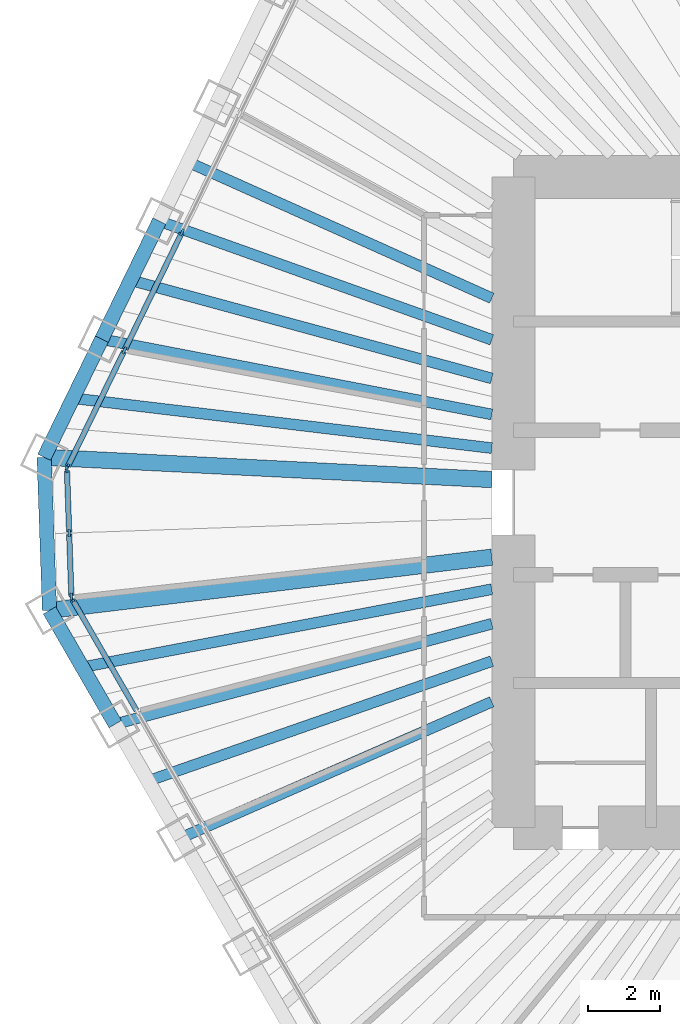
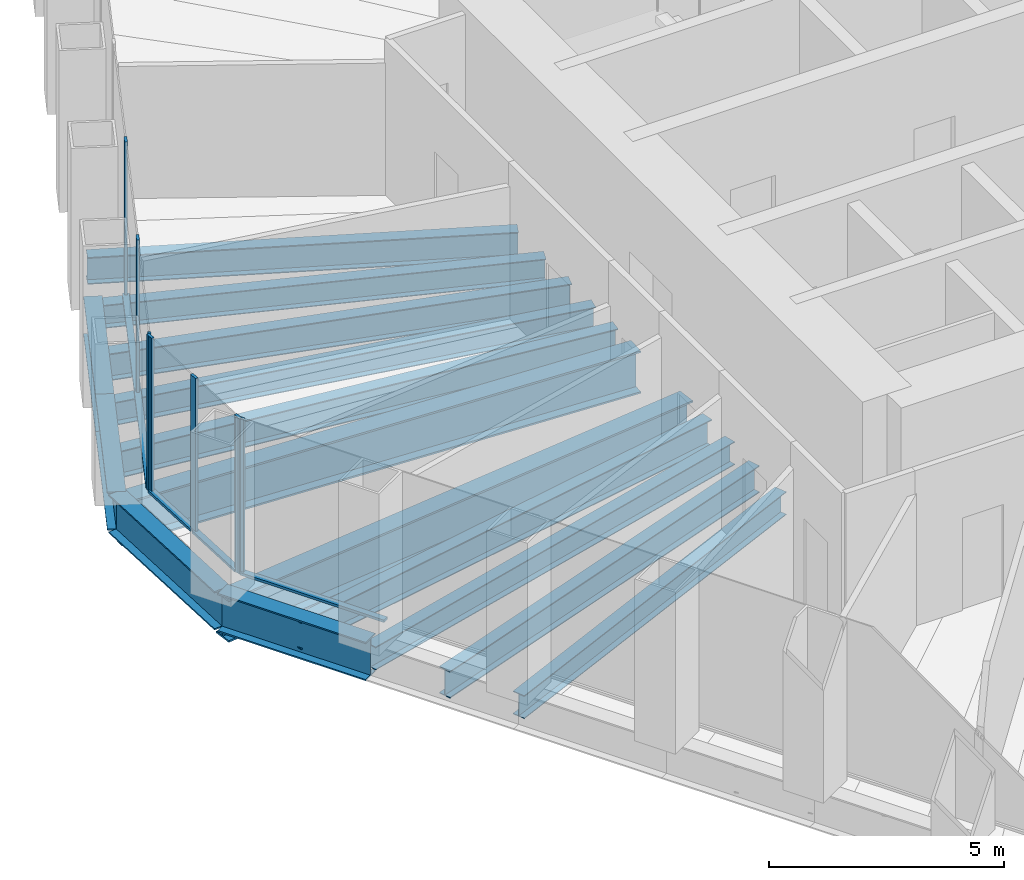
# One storey, part 3 of 14: 15 beams, 12 members, 3 elements without a shape of their own.
"""IFC4 building model written with IfcOpenShell, lengths in metres."""

from ifc_helpers import new_model, si_unit, direction, frame, origin, origin_2d, place, context, subcontext, project, spatial, rectangle, i_section, extrude, material, material_profile, profile_set, type_object, element, aggregate, save


model = new_model("IFC4")

# Units and contexts
model_context = context("Model", 3, precision=1e-05, world=origin(), true_north=direction((0.0, 1.0)))
body_context = subcontext(model_context, "Body", "Model", "MODEL_VIEW")
ifc_project = project(units=[si_unit("LENGTHUNIT", "METRE"), si_unit("AREAUNIT", "SQUARE_METRE"), si_unit("VOLUMEUNIT", "CUBIC_METRE"), si_unit("PLANEANGLEUNIT", "RADIAN"), si_unit("MASSUNIT", "GRAM", prefix="KILO")], contexts=[model_context])

# Site, building, storey
site_placement = place(None, origin())
site = spatial("IfcSite", under=ifc_project, at=site_placement, CompositionType="ELEMENT")
building_placement = place(site_placement, origin())
building = spatial("IfcBuilding", under=site, at=building_placement, Name="Qingtian Harvest Tower", CompositionType="ELEMENT")
storey_placement = place(building_placement, frame((0.0, 0.0, 235.0)))
storey = spatial("IfcBuildingStorey", under=building, at=storey_placement, Name="L51", CompositionType="ELEMENT", Elevation=235.0)

# Beams
ifc_material_1 = material(Name="Steel SM570MC", Category="steel")
ifc_material_profile_1 = material_profile(ifc_material_1, i_section(OverallWidth=0.449951171875, OverallDepth=1.10009765625, WebThickness=0.02197265625, FlangeThickness=0.044921875, at=origin_2d()), Name="H1100x450x22x45")
ifc_profile_set_1 = profile_set([ifc_material_profile_1], Name="Steel SM570MC")
beam_type_1 = type_object("IfcBeamType", Name="Corner floor beam FB8 H1100x450x22x45", PredefinedType="BEAM", material=ifc_profile_set_1)
beam_1_placement = place(storey_placement, frame((-24.833251953125, -2.987548828125, -0.719970703125), z_axis=(0.992841259631, 0.119441337798, 0.0), x_axis=(-0.119441337798, 0.992841259631, 0.0)))
element("IfcBeam", 1, at=beam_1_placement, inside=storey, type_object=beam_type_1, Name="Floor beam FB8 SW6", PredefinedType="BEAM", context=body_context, shape_type="SweptSolid", body=[
    extrude(i_section(OverallWidth=0.449951171875, OverallDepth=1.10009765625, WebThickness=0.02197265625, FlangeThickness=0.044921875, at=origin_2d()), origin(), (0.0, 0.0, 1.0), 12.3212890625),
])
beam_2_placement = place(storey_placement, frame((-24.981201171875, 1.248046875, -0.719970703125), z_axis=(0.998753959075, -0.049905202459, 0.0), x_axis=(0.049905202459, 0.998753959075, 0.0)))
element("IfcBeam", 2, at=beam_2_placement, inside=storey, type_object=beam_type_1, Name="Floor beam FB8 NW0", PredefinedType="BEAM", context=body_context, shape_type="SweptSolid", body=[
    extrude(i_section(OverallWidth=0.449951171875, OverallDepth=1.10009765625, WebThickness=0.02197265625, FlangeThickness=0.044921875, at=origin_2d()), origin(), (0.0, 0.0, 1.0), 12.396484375),
])
ifc_material_2 = material(Name="Steel SN490B", Category="steel")
ifc_material_profile_2 = material_profile(ifc_material_2, i_section(OverallWidth=0.300048828125, OverallDepth=0.60009765625, WebThickness=0.011962890625, FlangeThickness=0.02001953125, at=origin_2d()), Name="H600x300x12x20")
ifc_profile_set_2 = profile_set([ifc_material_profile_2], Name="Steel SN490B")
beam_type_2 = type_object("IfcBeamType", Name="Floor beam FB3 H600x300x12x20", PredefinedType="BEAM", material=ifc_profile_set_2)
beam_3_placement = place(storey_placement, frame((-21.19970703125, -9.281005859375, -0.469970703125), z_axis=(0.916057031544, 0.401048020765, 0.0), x_axis=(-0.401048020765, 0.916057031544, 0.0)))
element("IfcBeam", 3, at=beam_3_placement, inside=storey, type_object=beam_type_2, Name="Floor beam FB3 SW4", PredefinedType="BEAM", context=body_context, shape_type="SweptSolid", body=[
    extrude(i_section(OverallWidth=0.300048828125, OverallDepth=0.60009765625, WebThickness=0.011962890625, FlangeThickness=0.02001953125, at=origin_2d()), origin(), (0.0, 0.0, 1.0), 9.3876953125),
])
beam_4_placement = place(storey_placement, frame((-23.016357421875, -6.13427734375, -0.469970703125), z_axis=(0.966270640629, 0.257528734433, 0.0), x_axis=(-0.257528734433, 0.966270640629, 0.0)))
element("IfcBeam", 4, at=beam_4_placement, inside=storey, type_object=beam_type_2, Name="Floor beam FB3 SW5", PredefinedType="BEAM", context=body_context, shape_type="SweptSolid", body=[
    extrude(i_section(OverallWidth=0.300048828125, OverallDepth=0.60009765625, WebThickness=0.011962890625, FlangeThickness=0.02001953125, at=origin_2d()), origin(), (0.0, 0.0, 1.0), 10.77978515625),
])
beam_5_placement = place(storey_placement, frame((-23.388427734375, 4.513916015625, -0.469970703125), z_axis=(0.981878004162, -0.189514075845, 0.0), x_axis=(0.189514075845, 0.981878004162, 0.0)))
element("IfcBeam", 5, at=beam_5_placement, inside=storey, type_object=beam_type_2, Name="Floor beam FB3 NW1", PredefinedType="BEAM", context=body_context, shape_type="SweptSolid", body=[
    extrude(i_section(OverallWidth=0.300048828125, OverallDepth=0.60009765625, WebThickness=0.011962890625, FlangeThickness=0.02001953125, at=origin_2d()), origin(), (0.0, 0.0, 1.0), 10.987548828125),
])
beam_6_placement = place(storey_placement, frame((-21.79541015625, 7.779541015625, -0.469970703125), z_axis=(0.941800733255, -0.336171650857, 0.0), x_axis=(0.336171650857, 0.941800733255, 0.0)))
element("IfcBeam", 6, at=beam_6_placement, inside=storey, type_object=beam_type_2, Name="Floor beam FB3 NW2", PredefinedType="BEAM", context=body_context, shape_type="SweptSolid", body=[
    extrude(i_section(OverallWidth=0.300048828125, OverallDepth=0.60009765625, WebThickness=0.011962890625, FlangeThickness=0.02001953125, at=origin_2d()), origin(), (0.0, 0.0, 1.0), 9.763427734375),
])
ifc_material_3 = material(Name="Steel SN490B", Category="steel")
ifc_material_profile_3 = material_profile(ifc_material_3, i_section(OverallWidth=0.300048828125, OverallDepth=0.699951171875, WebThickness=0.012939453125, FlangeThickness=0.02392578125, at=origin_2d()), Name="H700x300x13x24")
ifc_profile_set_3 = profile_set([ifc_material_profile_3], Name="Steel SN490B")
beam_type_3 = type_object("IfcBeamType", Name="Floor joist J2 H700x300x13x24", PredefinedType="JOIST", material=ifc_profile_set_3)
beam_7_placement = place(storey_placement, frame((-22.108154296875, -7.707763671875, -0.52001953125), z_axis=(0.944256456951, 0.329210788868, 0.0), x_axis=(-0.329210788868, 0.944256456951, 0.0)))
element("IfcBeam", 7, at=beam_7_placement, inside=storey, type_object=beam_type_3, Name="Floor joist J2 SW4", PredefinedType="JOIST", context=body_context, shape_type="SweptSolid", body=[
    extrude(i_section(OverallWidth=0.300048828125, OverallDepth=0.699951171875, WebThickness=0.012939453125, FlangeThickness=0.02392578125, at=origin_2d()), origin(), (0.0, 0.0, 1.0), 10.0693359375),
])
beam_8_placement = place(storey_placement, frame((-23.9248046875, -4.56103515625, -0.52001953125), z_axis=(0.982309082743, 0.187266830912, 0.0), x_axis=(-0.187266830912, 0.982309082743, 0.0)))
element("IfcBeam", 8, at=beam_8_placement, inside=storey, type_object=beam_type_3, Name="Floor joist J2 SW5", PredefinedType="JOIST", context=body_context, shape_type="SweptSolid", body=[
    extrude(i_section(OverallWidth=0.300048828125, OverallDepth=0.699951171875, WebThickness=0.012939453125, FlangeThickness=0.02392578125, at=origin_2d()), origin(), (0.0, 0.0, 1.0), 11.528564453125),
])
beam_9_placement = place(storey_placement, frame((-24.184814453125, 2.880859375, -0.52001953125), z_axis=(0.992980727423, -0.11827626544, 0.0), x_axis=(0.11827626544, 0.992980727423, 0.0)))
element("IfcBeam", 9, at=beam_9_placement, inside=storey, type_object=beam_type_3, Name="Floor joist J2 NW0", PredefinedType="JOIST", context=body_context, shape_type="SweptSolid", body=[
    extrude(i_section(OverallWidth=0.300048828125, OverallDepth=0.699951171875, WebThickness=0.012939453125, FlangeThickness=0.02392578125, at=origin_2d()), origin(), (0.0, 0.0, 1.0), 11.66650390625),
])
beam_10_placement = place(storey_placement, frame((-22.591796875, 6.146728515625, -0.52001953125), z_axis=(0.964923062728, -0.26253282274, 0.0), x_axis=(0.26253282274, 0.964923062728, 0.0)))
element("IfcBeam", 10, at=beam_10_placement, inside=storey, type_object=beam_type_3, Name="Floor joist J2 NW1", PredefinedType="JOIST", context=body_context, shape_type="SweptSolid", body=[
    extrude(i_section(OverallWidth=0.300048828125, OverallDepth=0.699951171875, WebThickness=0.012939453125, FlangeThickness=0.02392578125, at=origin_2d()), origin(), (0.0, 0.0, 1.0), 10.35498046875),
])
beam_11_placement = place(storey_placement, frame((-20.9990234375, 9.41259765625, -0.52001953125), z_axis=(0.912515128421, -0.409042956671, 0.0), x_axis=(0.409042956671, 0.912515128421, 0.0)))
element("IfcBeam", 11, at=beam_11_placement, inside=storey, type_object=beam_type_3, Name="Floor joist J2 NW2", PredefinedType="JOIST", context=body_context, shape_type="SweptSolid", body=[
    extrude(i_section(OverallWidth=0.300048828125, OverallDepth=0.699951171875, WebThickness=0.012939453125, FlangeThickness=0.02392578125, at=origin_2d()), origin(), (0.0, 0.0, 1.0), 9.2041015625),
])

# Curtain wall, member
ifc_material_4 = material(Name="Bronze-anodised aluminium curtain wall", Category="aluminium")
curtain_wall_type = type_object("IfcCurtainWallType", Name="Curtain wall CW4 office", PredefinedType="USERDEFINED", material=ifc_material_4)
curtain_wall_1_placement = place(storey_placement, origin())
curtain_wall_1 = element("IfcCurtainWall", 12, at=curtain_wall_1_placement, inside=storey, type_object=curtain_wall_type, Name="Curtain wall CW4 L51 SW0-5", ObjectType="RECESSED CURTAIN WALL", PredefinedType="USERDEFINED")
ifc_material_5 = material(Name="Bronze-anodised aluminium mullion", Category="aluminium")
ifc_material_profile_4 = material_profile(ifc_material_5, rectangle(XDim=0.06494140625, YDim=0.199951171875, at=origin_2d()), Name="AL 65x200")
ifc_profile_set_4 = profile_set([ifc_material_profile_4], Name="Bronze-anodised aluminium mullion")
member_type_1 = type_object("IfcMemberType", Name="Mullion CWM 65x200", PredefinedType="MULLION", material=ifc_profile_set_4)
member_1_placement = place(storey_placement, frame((-24.210693359375, -2.665771484375, 0.0), z_axis=(0.0, 0.0, 1.0), x_axis=(-0.866025403784, -0.5, 0.0)))
member_1 = element("IfcMember", 13, at=member_1_placement, type_object=member_type_1, Name="CW4 mullion 7", PredefinedType="MULLION", context=body_context, shape_type="SweptSolid", body=[
    extrude(rectangle(XDim=0.06494140625, YDim=0.199951171875, at=origin_2d()), origin(), (0.0, 0.0, 1.0), 4.030029296875),
])

# Curtain wall, members
curtain_wall_2_placement = place(storey_placement, origin())
curtain_wall_2 = element("IfcCurtainWall", 14, at=curtain_wall_2_placement, inside=storey, type_object=curtain_wall_type, Name="Curtain wall CW4 L51 SWC", ObjectType="RECESSED CURTAIN WALL", PredefinedType="USERDEFINED")
member_2_placement = place(storey_placement, frame((-24.228271484375, -2.60498046875, 0.0), z_axis=(0.0, 0.0, 1.0), x_axis=(-0.999390827019, -0.034899496703, 0.0)))
member_2 = element("IfcMember", 15, at=member_2_placement, type_object=member_type_1, Name="CW4 mullion 1", PredefinedType="MULLION", context=body_context, shape_type="SweptSolid", body=[
    extrude(rectangle(XDim=0.06494140625, YDim=0.199951171875, at=origin_2d()), origin(), (0.0, 0.0, 1.0), 4.030029296875),
])
member_3_placement = place(storey_placement, frame((-24.28955078125, -0.84814453125, 0.0), z_axis=(0.0, 0.0, 1.0), x_axis=(-0.999390827019, -0.034899496703, 0.0)))
member_3 = element("IfcMember", 16, at=member_3_placement, type_object=member_type_1, Name="CW4 mullion 2", PredefinedType="MULLION", context=body_context, shape_type="SweptSolid", body=[
    extrude(rectangle(XDim=0.06494140625, YDim=0.199951171875, at=origin_2d()), origin(), (0.0, 0.0, 1.0), 4.030029296875),
])
member_4_placement = place(storey_placement, frame((-24.350830078125, 0.90869140625, 0.0), z_axis=(0.0, 0.0, 1.0), x_axis=(-0.999390827019, -0.034899496703, 0.0)))
member_4 = element("IfcMember", 17, at=member_4_placement, type_object=member_type_1, Name="CW4 mullion 3", PredefinedType="MULLION", context=body_context, shape_type="SweptSolid", body=[
    extrude(rectangle(XDim=0.06494140625, YDim=0.199951171875, at=origin_2d()), origin(), (0.0, 0.0, 1.0), 4.030029296875),
])

curtain_wall_3_placement = place(storey_placement, origin())
curtain_wall_3 = element("IfcCurtainWall", 18, at=curtain_wall_3_placement, inside=storey, type_object=curtain_wall_type, Name="Curtain wall CW4 L51 NW0-5", ObjectType="RECESSED CURTAIN WALL", PredefinedType="USERDEFINED")
member_5_placement = place(storey_placement, frame((-24.337646484375, 0.970458984375, 0.0), z_axis=(0.0, 0.0, 1.0), x_axis=(-0.898794046299, 0.438371146789, 0.0)))
member_5 = element("IfcMember", 19, at=member_5_placement, type_object=member_type_1, Name="CW4 mullion 1", PredefinedType="MULLION", context=body_context, shape_type="SweptSolid", body=[
    extrude(rectangle(XDim=0.06494140625, YDim=0.199951171875, at=origin_2d()), origin(), (0.0, 0.0, 1.0), 4.030029296875),
])
member_6_placement = place(storey_placement, frame((-22.759033203125, 4.20703125, 0.0), z_axis=(0.0, 0.0, 1.0), x_axis=(-0.898794046299, 0.438371146789, 0.0)))
member_6 = element("IfcMember", 20, at=member_6_placement, type_object=member_type_1, Name="CW4 mullion 2", PredefinedType="MULLION", context=body_context, shape_type="SweptSolid", body=[
    extrude(rectangle(XDim=0.06494140625, YDim=0.199951171875, at=origin_2d()), origin(), (0.0, 0.0, 1.0), 4.030029296875),
])
member_7_placement = place(storey_placement, frame((-21.166259765625, 7.47265625, 0.0), z_axis=(0.0, 0.0, 1.0), x_axis=(-0.898794046299, 0.438371146789, 0.0)))
member_7 = element("IfcMember", 21, at=member_7_placement, type_object=member_type_1, Name="CW4 mullion 3", PredefinedType="MULLION", context=body_context, shape_type="SweptSolid", body=[
    extrude(rectangle(XDim=0.06494140625, YDim=0.199951171875, at=origin_2d()), origin(), (0.0, 0.0, 1.0), 4.030029296875),
])

# Beams
ifc_material_6 = material(Name="Steel SN490B", Category="steel")
ifc_material_profile_5 = material_profile(ifc_material_6, i_section(OverallWidth=0.39990234375, OverallDepth=1.0, WebThickness=0.01904296875, FlangeThickness=0.035888671875, at=origin_2d()), Name="H1000x400x19x36")
ifc_profile_set_5 = profile_set([ifc_material_profile_5], Name="Steel SN490B")
beam_type_4 = type_object("IfcBeamType", Name="Spandrel beam SB3 H1000x400x19x36", PredefinedType="SPANDREL", material=ifc_profile_set_5)
beam_12_placement = place(storey_placement, frame((-23.016357421875, -6.13427734375, -0.5), z_axis=(-0.500026827678, 0.866009914263, 0.0), x_axis=(-0.866009914263, -0.500026827678, 0.0)))
element("IfcBeam", 22, at=beam_12_placement, inside=storey, type_object=beam_type_4, Name="Spandrel SB3 SW5", PredefinedType="SPANDREL", context=body_context, shape_type="SweptSolid", body=[
    extrude(i_section(OverallWidth=0.39990234375, OverallDepth=1.0, WebThickness=0.01904296875, FlangeThickness=0.035888671875, at=origin_2d()), origin(), (0.0, 0.0, 1.0), 3.633544921875),
])
beam_13_placement = place(storey_placement, frame((-24.833251953125, -2.987548828125, -0.5), z_axis=(-0.034908677553, 0.999390506375, 0.0), x_axis=(-0.999390506375, -0.034908677553, 0.0)))
element("IfcBeam", 23, at=beam_13_placement, inside=storey, type_object=beam_type_4, Name="Spandrel SB3 SWC", PredefinedType="SPANDREL", context=body_context, shape_type="SweptSolid", body=[
    extrude(i_section(OverallWidth=0.39990234375, OverallDepth=1.0, WebThickness=0.01904296875, FlangeThickness=0.035888671875, at=origin_2d()), origin(), (0.0, 0.0, 1.0), 4.23828125),
])
for number, where, z_axis, x_axis, name in (
    (24, (-24.981201171875, 1.248046875, -0.5), (0.438349498419, 0.898804604592, 0.0), (-0.898804604592, 0.438349498419, 0.0), "Spandrel SB3 NW0"),
    (25, (-23.388427734375, 4.513916015625, -0.5), (0.438430251153, 0.898765216769, 0.0), (-0.898765216769, 0.438430251153, 0.0), "Spandrel SB3 NW1"),
):
    element("IfcBeam", number, at=place(storey_placement, frame(where, z_axis=z_axis, x_axis=x_axis)), inside=storey, type_object=beam_type_4, Name=name, PredefinedType="SPANDREL", context=body_context, shape_type="SweptSolid", body=[
        extrude(i_section(OverallWidth=0.39990234375, OverallDepth=1.0, WebThickness=0.01904296875, FlangeThickness=0.035888671875, at=origin_2d()), origin(), (0.0, 0.0, 1.0), 3.633544921875),
    ])

# Member
ifc_material_7 = material(Name="Bronze-anodised aluminium transom", Category="aluminium")
ifc_material_profile_6 = material_profile(ifc_material_7, rectangle(XDim=0.14990234375, YDim=0.06494140625, at=origin_2d()), Name="AL 65x150")
ifc_profile_set_6 = profile_set([ifc_material_profile_6], Name="Bronze-anodised aluminium transom")
member_type_2 = type_object("IfcMemberType", Name="Transom CWT 65x150", PredefinedType="USERDEFINED", material=ifc_profile_set_6)
member_8_placement = place(storey_placement, frame((-22.426513671875, -5.756103515625, 0.032470703125), z_axis=(-0.500015305566, 0.866016566931, 0.0), x_axis=(-0.866016566931, -0.500015305566, 0.0)))
member_8 = element("IfcMember", 26, at=member_8_placement, type_object=member_type_2, Name="CW4 transom 6.1", ObjectType="TRANSOM", PredefinedType="USERDEFINED", context=body_context, shape_type="SweptSolid", body=[
    extrude(rectangle(XDim=0.14990234375, YDim=0.06494140625, at=origin_2d()), origin(), (0.0, 0.0, 1.0), 3.5361328125),
])

aggregate(curtain_wall_1, [member_1, member_8])

member_9_placement = place(storey_placement, frame((-24.229248046875, -2.572509765625, 0.032470703125), z_axis=(-0.034899362377, 0.99939083171, 0.0), x_axis=(-0.99939083171, -0.034899362377, 0.0)))
member_9 = element("IfcMember", 27, at=member_9_placement, type_object=member_type_2, Name="CW4 transom 1.1", ObjectType="TRANSOM", PredefinedType="USERDEFINED", context=body_context, shape_type="SweptSolid", body=[
    extrude(rectangle(XDim=0.14990234375, YDim=0.06494140625, at=origin_2d()), origin(), (0.0, 0.0, 1.0), 1.69287109375),
])

member_10_placement = place(storey_placement, frame((-24.29052734375, -0.815673828125, 0.032470703125), z_axis=(-0.034899362377, 0.99939083171, 0.0), x_axis=(-0.99939083171, -0.034899362377, 0.0)))
member_10 = element("IfcMember", 28, at=member_10_placement, type_object=member_type_2, Name="CW4 transom 2.1", ObjectType="TRANSOM", PredefinedType="USERDEFINED", context=body_context, shape_type="SweptSolid", body=[
    extrude(rectangle(XDim=0.14990234375, YDim=0.06494140625, at=origin_2d()), origin(), (0.0, 0.0, 1.0), 1.69287109375),
])

aggregate(curtain_wall_2, [member_2, member_3, member_4, member_9, member_10])

member_11_placement = place(storey_placement, frame((-24.323486328125, 0.99951171875, 0.032470703125), z_axis=(0.438354255898, 0.898802284341, 0.0), x_axis=(-0.898802284341, 0.438354255898, 0.0)))
member_11 = element("IfcMember", 29, at=member_11_placement, type_object=member_type_2, Name="CW4 transom 1.1", ObjectType="TRANSOM", PredefinedType="USERDEFINED", context=body_context, shape_type="SweptSolid", body=[
    extrude(rectangle(XDim=0.14990234375, YDim=0.06494140625, at=origin_2d()), origin(), (0.0, 0.0, 1.0), 3.5361328125),
])

member_12_placement = place(storey_placement, frame((-22.744873046875, 4.236083984375, 0.032470703125), z_axis=(0.438325233634, 0.89881643819, 0.0), x_axis=(-0.89881643819, 0.438325233634, 0.0)))
member_12 = element("IfcMember", 30, at=member_12_placement, type_object=member_type_2, Name="CW4 transom 2.1", ObjectType="TRANSOM", PredefinedType="USERDEFINED", context=body_context, shape_type="SweptSolid", body=[
    extrude(rectangle(XDim=0.14990234375, YDim=0.06494140625, at=origin_2d()), origin(), (0.0, 0.0, 1.0), 3.568603515625),
])

aggregate(curtain_wall_3, [member_5, member_6, member_7, member_11, member_12])

save(model, "model.ifc")
